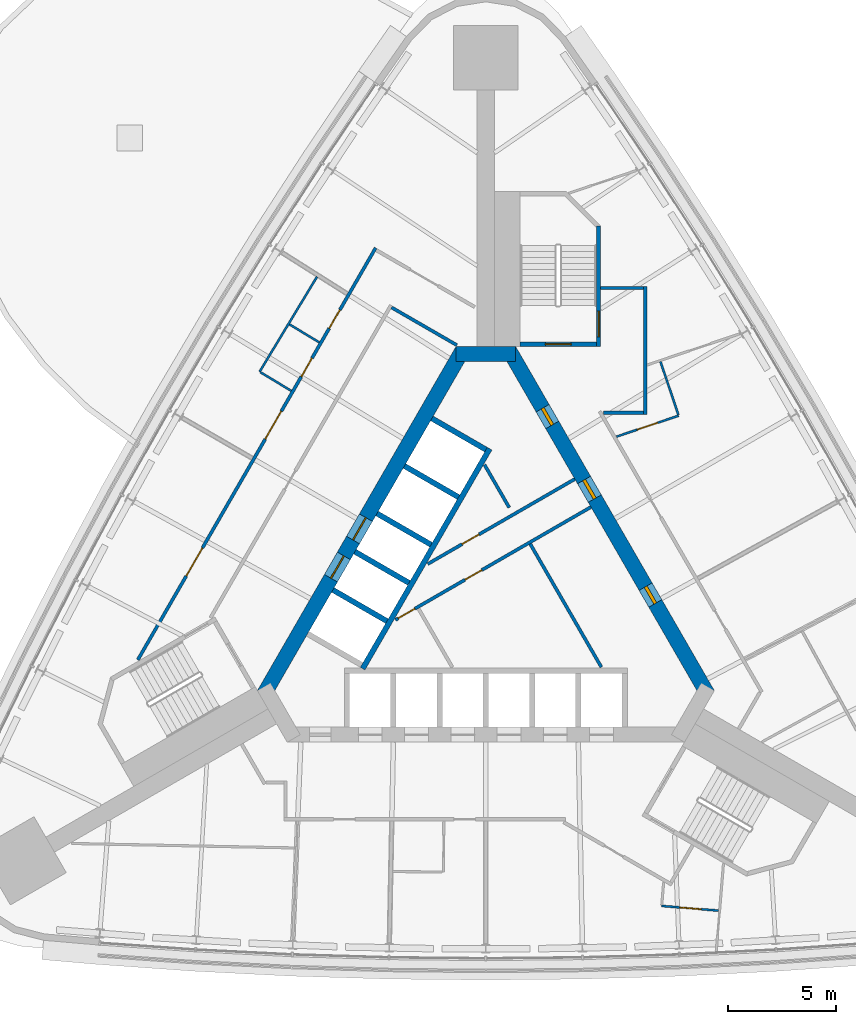
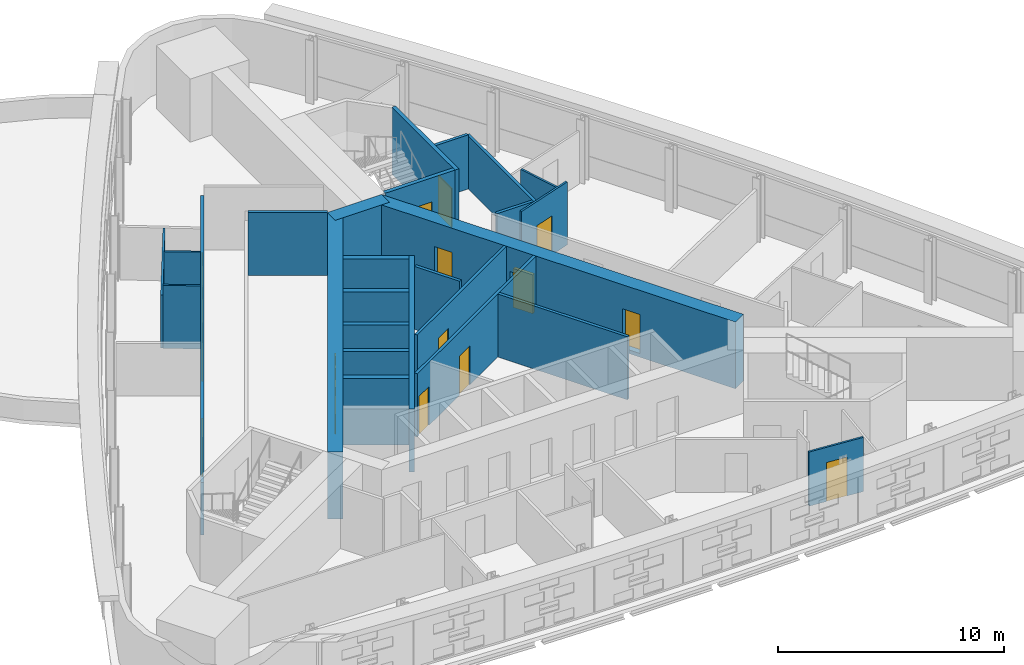
# One storey, part 8 of 12: 26 walls, 16 doors, 16 openings.
"""IFC4 building model written with IfcOpenShell, lengths in metres."""

from ifc_helpers import new_model, si_unit, direction, frame, frame_2d, origin, place, context, subcontext, project, spatial, rectangle, extrude, material, layer, layer_set, type_object, element, fill, save


model = new_model("IFC4")

# Units and contexts
model_context = context("Model", 3, precision=1e-05, world=origin(), true_north=direction((0.0, 1.0)))
body_context = subcontext(model_context, "Body", "Model", "MODEL_VIEW")
ifc_project = project(units=[si_unit("LENGTHUNIT", "METRE"), si_unit("AREAUNIT", "SQUARE_METRE"), si_unit("VOLUMEUNIT", "CUBIC_METRE"), si_unit("PLANEANGLEUNIT", "RADIAN"), si_unit("MASSUNIT", "GRAM", prefix="KILO")], contexts=[model_context])

# Site, building, storey
site_placement = place(None, origin())
site = spatial("IfcSite", under=ifc_project, at=site_placement, CompositionType="ELEMENT")
building_placement = place(site_placement, origin())
building = spatial("IfcBuilding", under=site, at=building_placement, Name="Noor Cloister Tower", CompositionType="ELEMENT")
storey_placement = place(building_placement, frame((0.0, 0.0, 105.89990234375)))
storey = spatial("IfcBuildingStorey", under=building, at=storey_placement, Name="L27", CompositionType="ELEMENT", Elevation=105.89990234375)

# Wall, openings, doors
ifc_material_1 = material(Name="Concrete C30/37", Category="concrete")
ifc_layer_1 = layer(ifc_material_1, 0.14990234375)
ifc_layer_set_1 = layer_set([ifc_layer_1], Name="Core partition 150 C30/37")
wall_type_1 = type_object("IfcWallType", Name="Core partition 150 C30/37", PredefinedType="PARTITIONING", material=ifc_layer_set_1)
wall_1_placement = place(storey_placement, frame((-4.19775390625, -1.244384765625, 0.0), z_axis=(0.0, 0.0, 1.0), x_axis=(0.866020798945, 0.500007975732, 0.0)))
wall_1 = element("IfcWall", 1, at=wall_1_placement, inside=storey, type_object=wall_type_1, Name="Core room partition L27 1", PredefinedType="PARTITIONING", context=body_context, shape_type="SweptSolid", body=[
    extrude(rectangle(XDim=10.485595703125, YDim=0.14990234375, at=frame_2d((5.24267578125, 0.0))), origin(), (0.0, 0.0, 1.0), 3.400146484375),
])
opening_1_placement = place(wall_1_placement, frame((3.735595703125, 0.0, 0.0)))
opening_1 = element("IfcOpeningElement", 2, at=opening_1_placement, cuts=wall_1, Name="Opening L27-904", PredefinedType="OPENING", context=body_context, shape_type="SweptSolid", body=[
    extrude(rectangle(XDim=0.89990234375, YDim=2.10009765625, at=frame_2d((0.449951171875, 1.050048828125))), frame((0.0, 0.0849609375, 0.0), z_axis=(0.0, -1.0, 0.0), x_axis=(1.0, 0.0, 0.0)), (0.0, 0.0, 1.0), 0.169921875),
])
opening_2_placement = place(wall_1_placement, frame((0.143798828125, 0.0, 0.0)))
opening_2 = element("IfcOpeningElement", 3, at=opening_2_placement, cuts=wall_1, Name="Opening L27-906", PredefinedType="OPENING", context=body_context, shape_type="SweptSolid", body=[
    extrude(rectangle(XDim=0.89990234375, YDim=2.10009765625, at=frame_2d((0.449951171875, 1.050048828125))), frame((0.0, 0.0849609375, 0.0), z_axis=(0.0, -1.0, 0.0), x_axis=(1.0, 0.0, 0.0)), (0.0, 0.0, 1.0), 0.169921875),
])
ifc_material_2 = material(Name="Steel", Category="steel")
door_type_1 = type_object("IfcDoorType", Name="Core door 900 x 2100 FD120", OperationType="SINGLE_SWING_LEFT", PredefinedType="DOOR", material=ifc_material_2)
door_1_placement = place(opening_2_placement, origin())
door_1 = element("IfcDoor", 4, at=door_1_placement, inside=storey, type_object=door_type_1, Name="Core door 6 L27", OperationType="SINGLE_SWING_RIGHT", OverallHeight=2.10009765625, OverallWidth=0.89990234375, PredefinedType="DOOR", context=body_context, shape_type="SweptSolid", body=[
    extrude(rectangle(XDim=0.89990234375, YDim=2.10009765625, at=frame_2d((0.449951171875, 1.050048828125))), frame((0.0, 0.02490234375, 0.0), z_axis=(0.0, -1.0, 0.0), x_axis=(1.0, 0.0, 0.0)), (0.0, 0.0, 1.0), 0.050048828125),
])
fill(opening_2, door_1)
ifc_material_3 = material(Name="Steel", Category="steel")
door_type_2 = type_object("IfcDoorType", Name="Core door 900 x 2100 FD60", OperationType="SINGLE_SWING_LEFT", PredefinedType="DOOR", material=ifc_material_3)
door_2_placement = place(opening_1_placement, origin())
door_2 = element("IfcDoor", 5, at=door_2_placement, inside=storey, type_object=door_type_2, Name="Core door 4 L27", OperationType="SINGLE_SWING_RIGHT", OverallHeight=2.10009765625, OverallWidth=0.89990234375, PredefinedType="DOOR", context=body_context, shape_type="SweptSolid", body=[
    extrude(rectangle(XDim=0.89990234375, YDim=2.10009765625, at=frame_2d((0.449951171875, 1.050048828125))), frame((0.0, 0.02490234375, 0.0), z_axis=(0.0, -1.0, 0.0), x_axis=(1.0, 0.0, 0.0)), (0.0, 0.0, 1.0), 0.050048828125),
])
fill(opening_1, door_2)

# Wall
wall_2_placement = place(storey_placement, frame((5.36669921875, -3.439208984375, 0.0), z_axis=(0.0, 0.0, 1.0), x_axis=(-0.499981499682, 0.866036084685, 0.0)))
element("IfcWall", 6, at=wall_2_placement, inside=storey, type_object=wall_type_1, Name="Core room partition L27 2", PredefinedType="PARTITIONING", context=body_context, shape_type="SweptSolid", body=[
    extrude(rectangle(XDim=6.608154296875, YDim=0.14990234375, at=frame_2d((3.30419921875, 0.0))), origin(), (0.0, 0.0, 1.0), 3.400146484375),
])

# Wall, opening, door
wall_3_placement = place(storey_placement, frame((-2.69775390625, 1.353759765625, 0.0), z_axis=(0.0, 0.0, 1.0), x_axis=(0.866021157486, 0.500007354732, 0.0)))
wall_3 = element("IfcWall", 7, at=wall_3_placement, inside=storey, type_object=wall_type_1, Name="Core room partition L27 4", PredefinedType="PARTITIONING", context=body_context, shape_type="SweptSolid", body=[
    extrude(rectangle(XDim=7.8876953125, YDim=0.14990234375, at=frame_2d((3.94384765625, 0.0))), origin(), (0.0, 0.0, 1.0), 3.400146484375),
])
opening_3_placement = place(wall_3_placement, frame((1.8447265625, 0.0, 0.0)))
opening_3 = element("IfcOpeningElement", 8, at=opening_3_placement, cuts=wall_3, Name="Opening L27-905", PredefinedType="OPENING", context=body_context, shape_type="SweptSolid", body=[
    extrude(rectangle(XDim=0.89990234375, YDim=2.10009765625, at=frame_2d((0.449951171875, 1.050048828125))), frame((0.0, 0.0849609375, 0.0), z_axis=(0.0, -1.0, 0.0), x_axis=(1.0, 0.0, 0.0)), (0.0, 0.0, 1.0), 0.169921875),
])
door_3_placement = place(opening_3_placement, origin())
door_3 = element("IfcDoor", 9, at=door_3_placement, inside=storey, type_object=door_type_1, Name="Core door 5 L27", OperationType="SINGLE_SWING_LEFT", OverallHeight=2.10009765625, OverallWidth=0.89990234375, PredefinedType="DOOR", context=body_context, shape_type="SweptSolid", body=[
    extrude(rectangle(XDim=0.89990234375, YDim=2.10009765625, at=frame_2d((0.449951171875, 1.050048828125))), frame((0.0, 0.02490234375, 0.0), z_axis=(0.0, -1.0, 0.0), x_axis=(1.0, 0.0, 0.0)), (0.0, 0.0, 1.0), 0.050048828125),
])
fill(opening_3, door_3)

# Wall
wall_4_placement = place(storey_placement, frame((1.087890625, 3.972412109375, 0.0), z_axis=(0.0, 0.0, 1.0), x_axis=(-0.500116913307, 0.865957893332, 0.0)))
element("IfcWall", 10, at=wall_4_placement, inside=storey, type_object=wall_type_1, Name="Core room partition L27 5", PredefinedType="PARTITIONING", context=body_context, shape_type="SweptSolid", body=[
    extrude(rectangle(XDim=2.3037109375, YDim=0.14990234375, at=frame_2d((1.15185546875, 0.0))), origin(), (0.0, 0.0, 1.0), 3.400146484375),
])

# Wall, openings, doors
ifc_material_4 = material(Name="Concrete C80/95", Category="concrete")
ifc_layer_2 = layer(ifc_material_4, 0.699951171875)
ifc_layer_set_2 = layer_set([ifc_layer_2], Name="Core wall 700 C80/95")
wall_type_2 = type_object("IfcWallType", Name="Core wall 700 C80/95", PredefinedType="SHEAR", material=ifc_layer_set_2)
wall_5_placement = place(storey_placement, frame((10.311279296875, -4.703125, -0.199951171875), z_axis=(0.0, 0.0, 1.0), x_axis=(-0.500001446645, 0.866024568562, 0.0)))
wall_5 = element("IfcWall", 11, at=wall_5_placement, inside=storey, type_object=wall_type_2, Name="Core wall L27 3", PredefinedType="SHEAR", context=body_context, shape_type="SweptSolid", body=[
    extrude(rectangle(XDim=18.45751953125, YDim=0.699951171875, at=frame_2d((9.228759765625, 0.0))), origin(), (0.0, 0.0, 1.0), 3.60009765625),
])
opening_4_placement = place(wall_5_placement, frame((10.5, 0.0, 0.199951171875)))
opening_4 = element("IfcOpeningElement", 12, at=opening_4_placement, cuts=wall_5, Name="Opening L27-901", PredefinedType="OPENING", context=body_context, shape_type="SweptSolid", body=[
    extrude(rectangle(XDim=1.0, YDim=2.10009765625, at=frame_2d((0.5, 1.050048828125))), frame((0.0, 0.35986328125, 0.0), z_axis=(0.0, -1.0, 0.0), x_axis=(1.0, 0.0, 0.0)), (0.0, 0.0, 1.0), 0.719970703125),
])
opening_5_placement = place(wall_5_placement, frame((4.876953125, 0.0, 0.199951171875)))
opening_5 = element("IfcOpeningElement", 13, at=opening_5_placement, cuts=wall_5, Name="Opening L27-902", PredefinedType="OPENING", context=body_context, shape_type="SweptSolid", body=[
    extrude(rectangle(XDim=0.89990234375, YDim=2.10009765625, at=frame_2d((0.449951171875, 1.050048828125))), frame((0.0, 0.35986328125, 0.0), z_axis=(0.0, -1.0, 0.0), x_axis=(1.0, 0.0, 0.0)), (0.0, 0.0, 1.0), 0.719970703125),
])
opening_6_placement = place(wall_5_placement, frame((14.45166015625, 0.0, 0.199951171875)))
opening_6 = element("IfcOpeningElement", 14, at=opening_6_placement, cuts=wall_5, Name="Opening L27-903", PredefinedType="OPENING", context=body_context, shape_type="SweptSolid", body=[
    extrude(rectangle(XDim=0.89990234375, YDim=2.10009765625, at=frame_2d((0.449951171875, 1.050048828125))), frame((0.0, 0.35986328125, 0.0), z_axis=(0.0, -1.0, 0.0), x_axis=(1.0, 0.0, 0.0)), (0.0, 0.0, 1.0), 0.719970703125),
])
ifc_material_5 = material(Name="Steel", Category="steel")
door_type_3 = type_object("IfcDoorType", Name="Core door 1000 x 2100 FD120", OperationType="SINGLE_SWING_LEFT", PredefinedType="DOOR", material=ifc_material_5)
door_4_placement = place(opening_4_placement, origin())
door_4 = element("IfcDoor", 15, at=door_4_placement, inside=storey, type_object=door_type_3, Name="Core door 1 L27", OperationType="SINGLE_SWING_LEFT", OverallHeight=2.10009765625, OverallWidth=1.0, PredefinedType="DOOR", context=body_context, shape_type="SweptSolid", body=[
    extrude(rectangle(XDim=1.0, YDim=2.10009765625, at=frame_2d((0.5, 1.050048828125))), frame((0.0, 0.074951171875, 0.0), z_axis=(0.0, -1.0, 0.0), x_axis=(1.0, 0.0, 0.0)), (0.0, 0.0, 1.0), 0.14990234375),
])
fill(opening_4, door_4)
door_5_placement = place(opening_5_placement, origin())
door_5 = element("IfcDoor", 16, at=door_5_placement, inside=storey, type_object=door_type_1, Name="Core door 2 L27", OperationType="SINGLE_SWING_RIGHT", OverallHeight=2.10009765625, OverallWidth=0.89990234375, PredefinedType="DOOR", context=body_context, shape_type="SweptSolid", body=[
    extrude(rectangle(XDim=0.89990234375, YDim=2.10009765625, at=frame_2d((0.449951171875, 1.050048828125))), frame((0.0, 0.074951171875, 0.0), z_axis=(0.0, -1.0, 0.0), x_axis=(1.0, 0.0, 0.0)), (0.0, 0.0, 1.0), 0.14990234375),
])
fill(opening_5, door_5)
door_6_placement = place(opening_6_placement, origin())
door_6 = element("IfcDoor", 17, at=door_6_placement, inside=storey, type_object=door_type_1, Name="Core door 3 L27", OperationType="SINGLE_SWING_LEFT", OverallHeight=2.10009765625, OverallWidth=0.89990234375, PredefinedType="DOOR", context=body_context, shape_type="SweptSolid", body=[
    extrude(rectangle(XDim=0.89990234375, YDim=2.10009765625, at=frame_2d((0.449951171875, 1.050048828125))), frame((0.0, 0.074951171875, 0.0), z_axis=(0.0, -1.0, 0.0), x_axis=(1.0, 0.0, 0.0)), (0.0, 0.0, 1.0), 0.14990234375),
])
fill(opening_6, door_6)

# Wall
wall_6_placement = place(storey_placement, frame((1.3857421875, 11.1064453125, -0.199951171875), z_axis=(0.0, 0.0, 1.0), x_axis=(-1.0, 0.0, 0.0)))
element("IfcWall", 18, at=wall_6_placement, inside=storey, type_object=wall_type_2, Name="Core wall L27 4", PredefinedType="SHEAR", context=body_context, shape_type="SweptSolid", body=[
    extrude(rectangle(XDim=2.771484375, YDim=0.699951171875, at=frame_2d((1.3857421875, 0.0))), origin(), (0.0, 0.0, 1.0), 3.60009765625),
])

# Wall, openings, doors
wall_7_placement = place(storey_placement, frame((-1.08251953125, 11.281494140625, -0.199951171875), z_axis=(0.0, 0.0, 1.0), x_axis=(-0.500001446645, -0.866024568562, 0.0)))
wall_7 = element("IfcWall", 19, at=wall_7_placement, inside=storey, type_object=wall_type_2, Name="Core wall L27 5", PredefinedType="SHEAR", context=body_context, shape_type="SweptSolid", body=[
    extrude(rectangle(XDim=18.45751953125, YDim=0.699951171875, at=frame_2d((9.228759765625, 0.0))), origin(), (0.0, 0.0, 1.0), 3.60009765625),
])
opening_7_placement = place(wall_7_placement, frame((8.978759765625, 0.0, 0.199951171875)))
opening_7 = element("IfcOpeningElement", 20, at=opening_7_placement, cuts=wall_7, Name="Opening L27-FF1", PredefinedType="OPENING", context=body_context, shape_type="SweptSolid", body=[
    extrude(rectangle(XDim=1.199951171875, YDim=2.10009765625, at=frame_2d((0.60009765625, 1.050048828125))), frame((0.0, 0.35986328125, 0.0), z_axis=(0.0, -1.0, 0.0), x_axis=(1.0, 0.0, 0.0)), (0.0, 0.0, 1.0), 0.719970703125),
])
opening_8_placement = place(wall_7_placement, frame((11.02880859375, 0.0, 0.199951171875)))
opening_8 = element("IfcOpeningElement", 21, at=opening_8_placement, cuts=wall_7, Name="Opening L27-FF2", PredefinedType="OPENING", context=body_context, shape_type="SweptSolid", body=[
    extrude(rectangle(XDim=1.199951171875, YDim=2.10009765625, at=frame_2d((0.60009765625, 1.050048828125))), frame((0.0, 0.35986328125, 0.0), z_axis=(0.0, -1.0, 0.0), x_axis=(1.0, 0.0, 0.0)), (0.0, 0.0, 1.0), 0.719970703125),
])
ifc_material_6 = material(Name="Stainless steel", Category="steel")
door_type_4 = type_object("IfcDoorType", Name="Lift landing door 1200 x 2100", OperationType="DOUBLE_DOOR_SLIDING", PredefinedType="DOOR", material=ifc_material_6)
door_7_placement = place(opening_7_placement, origin())
door_7 = element("IfcDoor", 22, at=door_7_placement, inside=storey, type_object=door_type_4, Name="Landing door FF1 L27", OperationType="DOUBLE_DOOR_SLIDING", OverallHeight=2.10009765625, OverallWidth=1.199951171875, PredefinedType="DOOR", context=body_context, shape_type="SweptSolid", body=[
    extrude(rectangle(XDim=1.199951171875, YDim=2.10009765625, at=frame_2d((0.60009765625, 1.050048828125))), frame((0.0, 0.02490234375, 0.0), z_axis=(0.0, -1.0, 0.0), x_axis=(1.0, 0.0, 0.0)), (0.0, 0.0, 1.0), 0.050048828125),
])
fill(opening_7, door_7)
door_8_placement = place(opening_8_placement, origin())
door_8 = element("IfcDoor", 23, at=door_8_placement, inside=storey, type_object=door_type_4, Name="Landing door FF2 L27", OperationType="DOUBLE_DOOR_SLIDING", OverallHeight=2.10009765625, OverallWidth=1.199951171875, PredefinedType="DOOR", context=body_context, shape_type="SweptSolid", body=[
    extrude(rectangle(XDim=1.199951171875, YDim=2.10009765625, at=frame_2d((0.60009765625, 1.050048828125))), frame((0.0, 0.02490234375, 0.0), z_axis=(0.0, -1.0, 0.0), x_axis=(1.0, 0.0, 0.0)), (0.0, 0.0, 1.0), 0.050048828125),
])
fill(opening_8, door_8)

# Wall
ifc_material_7 = material(Name="Fire-rated gypsum board partition on steel studs, 150 mm", Category="steel")
ifc_layer_3 = layer(ifc_material_7, 0.14990234375)
ifc_layer_set_3 = layer_set([ifc_layer_3], Name="Fire lobby wall 150")
wall_type_3 = type_object("IfcWallType", Name="Fire lobby wall 150", PredefinedType="PARTITIONING", material=ifc_layer_set_3)
wall_8_placement = place(storey_placement, frame((-4.379150390625, 13.271484375, 0.0), z_axis=(0.0, 0.0, 1.0), x_axis=(0.866019471182, -0.500010275428, 0.0)))
element("IfcWall", 24, at=wall_8_placement, inside=storey, type_object=wall_type_3, Name="Fire lobby wall 150 L27 008", PredefinedType="PARTITIONING", context=body_context, shape_type="SweptSolid", body=[
    extrude(rectangle(XDim=3.5, YDim=0.14990234375, at=frame_2d((1.75, 0.0))), origin(), (0.0, 0.0, 1.0), 3.400146484375),
])

# Wall, openings, doors
ifc_material_8 = material(Name="Gypsum board partition on steel studs, 150 mm", Category="steel")
ifc_layer_4 = layer(ifc_material_8, 0.14990234375)
ifc_layer_set_4 = layer_set([ifc_layer_4], Name="Flat wall 150")
wall_type_4 = type_object("IfcWallType", Name="Flat wall 150", PredefinedType="PARTITIONING", material=ifc_layer_set_4)
wall_9_placement = place(storey_placement, frame((-16.1689453125, -3.09912109375, 0.0), z_axis=(0.0, 0.0, 1.0), x_axis=(0.499999805269, 0.866025516212, 0.0)))
wall_9 = element("IfcWall", 25, at=wall_9_placement, inside=storey, type_object=wall_type_4, Name="Flat wall 150 L27 001", PredefinedType="PARTITIONING", context=body_context, shape_type="SweptSolid", body=[
    extrude(rectangle(XDim=22.09716796875, YDim=0.14990234375, at=frame_2d((11.048583984375, 0.0))), origin(), (0.0, 0.0, 1.0), 2.84716796875),
])
opening_9_placement = place(wall_9_placement, frame((17.77587890625, 0.0, 0.0)))
opening_9 = element("IfcOpeningElement", 26, at=opening_9_placement, cuts=wall_9, Name="Opening L27-001", PredefinedType="OPENING", context=body_context, shape_type="SweptSolid", body=[
    extrude(rectangle(XDim=1.0, YDim=2.10009765625, at=frame_2d((0.5, 1.050048828125))), frame((0.0, 0.0849609375, 0.0), z_axis=(0.0, -1.0, 0.0), x_axis=(1.0, 0.0, 0.0)), (0.0, 0.0, 1.0), 0.169921875),
])
opening_10_placement = place(wall_9_placement, frame((15.186279296875, 0.0, 0.0)))
opening_10 = element("IfcOpeningElement", 27, at=opening_10_placement, cuts=wall_9, Name="Opening L27-002", PredefinedType="OPENING", context=body_context, shape_type="SweptSolid", body=[
    extrude(rectangle(XDim=1.0, YDim=2.10009765625, at=frame_2d((0.5, 1.050048828125))), frame((0.0, 0.0849609375, 0.0), z_axis=(0.0, -1.0, 0.0), x_axis=(1.0, 0.0, 0.0)), (0.0, 0.0, 1.0), 0.169921875),
])
opening_11_placement = place(wall_9_placement, frame((11.83984375, 0.0, 0.0)))
opening_11 = element("IfcOpeningElement", 28, at=opening_11_placement, cuts=wall_9, Name="Opening L27-003", PredefinedType="OPENING", context=body_context, shape_type="SweptSolid", body=[
    extrude(rectangle(XDim=1.5, YDim=2.10009765625, at=frame_2d((0.75, 1.050048828125))), frame((0.0, 0.0849609375, 0.0), z_axis=(0.0, -1.0, 0.0), x_axis=(1.0, 0.0, 0.0)), (0.0, 0.0, 1.0), 0.169921875),
])
opening_12_placement = place(wall_9_placement, frame((4.50341796875, 0.0, 0.0)))
opening_12 = element("IfcOpeningElement", 29, at=opening_12_placement, cuts=wall_9, Name="Opening L27-004", PredefinedType="OPENING", context=body_context, shape_type="SweptSolid", body=[
    extrude(rectangle(XDim=1.5, YDim=2.10009765625, at=frame_2d((0.75, 1.050048828125))), frame((0.0, 0.0849609375, 0.0), z_axis=(0.0, -1.0, 0.0), x_axis=(1.0, 0.0, 0.0)), (0.0, 0.0, 1.0), 0.169921875),
])
ifc_material_9 = material(Name="Timber door leaf with steel frame", Category="steel")
door_type_5 = type_object("IfcDoorType", Name="Accessible WC door 1000", OperationType="NOTDEFINED", PredefinedType="DOOR", material=ifc_material_9)
door_9_placement = place(opening_9_placement, origin())
door_9 = element("IfcDoor", 30, at=door_9_placement, inside=storey, type_object=door_type_5, Name="Accessible WC door 1000 L27-001", OperationType="SINGLE_SWING_RIGHT", OverallHeight=2.10009765625, OverallWidth=1.0, PredefinedType="DOOR", context=body_context, shape_type="SweptSolid", body=[
    extrude(rectangle(XDim=1.0, YDim=2.10009765625, at=frame_2d((0.5, 1.050048828125))), frame((0.0, 0.02490234375, 0.0), z_axis=(0.0, -1.0, 0.0), x_axis=(1.0, 0.0, 0.0)), (0.0, 0.0, 1.0), 0.050048828125),
])
fill(opening_9, door_9)
ifc_material_10 = material(Name="Timber door leaf with steel frame", Category="steel")
door_type_6 = type_object("IfcDoorType", Name="Double door 1500 FD60", OperationType="NOTDEFINED", PredefinedType="DOOR", material=ifc_material_10)
door_10_placement = place(opening_11_placement, origin())
door_10 = element("IfcDoor", 31, at=door_10_placement, inside=storey, type_object=door_type_6, Name="Double door 1500 L27-003", OperationType="DOUBLE_DOOR_SINGLE_SWING", OverallHeight=2.10009765625, OverallWidth=1.5, PredefinedType="DOOR", context=body_context, shape_type="SweptSolid", body=[
    extrude(rectangle(XDim=1.5, YDim=2.10009765625, at=frame_2d((0.75, 1.050048828125))), frame((0.0, 0.02490234375, 0.0), z_axis=(0.0, -1.0, 0.0), x_axis=(1.0, 0.0, 0.0)), (0.0, 0.0, 1.0), 0.050048828125),
])
fill(opening_11, door_10)
door_11_placement = place(opening_12_placement, origin())
door_11 = element("IfcDoor", 32, at=door_11_placement, inside=storey, type_object=door_type_6, Name="Double door 1500 L27-004", OperationType="DOUBLE_DOOR_SINGLE_SWING", OverallHeight=2.10009765625, OverallWidth=1.5, PredefinedType="DOOR", context=body_context, shape_type="SweptSolid", body=[
    extrude(rectangle(XDim=1.5, YDim=2.10009765625, at=frame_2d((0.75, 1.050048828125))), frame((0.0, 0.02490234375, 0.0), z_axis=(0.0, -1.0, 0.0), x_axis=(1.0, 0.0, 0.0)), (0.0, 0.0, 1.0), 0.050048828125),
])
fill(opening_12, door_11)
ifc_material_11 = material(Name="Timber door leaf with steel frame", Category="steel")
door_type_7 = type_object("IfcDoorType", Name="Interior door 1000 FD60", OperationType="NOTDEFINED", PredefinedType="DOOR", material=ifc_material_11)
door_12_placement = place(opening_10_placement, origin())
door_12 = element("IfcDoor", 33, at=door_12_placement, inside=storey, type_object=door_type_7, Name="Interior door 1000 L27-002", OperationType="SINGLE_SWING_RIGHT", OverallHeight=2.10009765625, OverallWidth=1.0, PredefinedType="DOOR", context=body_context, shape_type="SweptSolid", body=[
    extrude(rectangle(XDim=1.0, YDim=2.10009765625, at=frame_2d((0.5, 1.050048828125))), frame((0.0, 0.02490234375, 0.0), z_axis=(0.0, -1.0, 0.0), x_axis=(1.0, 0.0, 0.0)), (0.0, 0.0, 1.0), 0.050048828125),
])
fill(opening_10, door_12)

# Walls
wall_10_placement = place(storey_placement, frame((7.41064453125, 8.306396484375, 0.0), z_axis=(0.0, 0.0, 1.0), x_axis=(0.0, 1.0, 0.0)))
element("IfcWall", 34, at=wall_10_placement, inside=storey, type_object=wall_type_4, Name="Flat wall 150 L27 006", PredefinedType="PARTITIONING", context=body_context, shape_type="SweptSolid", body=[
    extrude(rectangle(XDim=5.949951171875, YDim=0.14990234375, at=frame_2d((2.97509765625, 0.0))), origin(), (0.0, 0.0, 1.0), 2.84716796875),
])
wall_11_placement = place(storey_placement, frame((5.335693359375, 14.181396484375, 0.0), z_axis=(0.0, 0.0, 1.0), x_axis=(1.0, 0.0, 0.0)))
element("IfcWall", 35, at=wall_11_placement, inside=storey, type_object=wall_type_4, Name="Flat wall 150 L27 009", PredefinedType="PARTITIONING", context=body_context, shape_type="SweptSolid", body=[
    extrude(rectangle(XDim=2.0, YDim=0.14990234375, at=frame_2d((1.0, 0.0))), origin(), (0.0, 0.0, 1.0), 2.923095703125),
])
wall_12_placement = place(storey_placement, frame((5.4560546875, 8.38134765625, 0.0), z_axis=(0.0, 0.0, 1.0), x_axis=(1.0, 0.0, 0.0)))
element("IfcWall", 36, at=wall_12_placement, inside=storey, type_object=wall_type_4, Name="Flat wall 150 L27 013", PredefinedType="PARTITIONING", context=body_context, shape_type="SweptSolid", body=[
    extrude(rectangle(XDim=1.879638671875, YDim=0.14990234375, at=frame_2d((0.93994140625, 0.0))), origin(), (0.0, 0.0, 1.0), 2.84716796875),
])
ifc_material_12 = material(Name="Gypsum board partition on steel studs, 100 mm", Category="steel")
ifc_layer_5 = layer(ifc_material_12, 0.10009765625)
ifc_layer_set_5 = layer_set([ifc_layer_5], Name="Partition 100")
wall_type_5 = type_object("IfcWallType", Name="Partition 100", PredefinedType="PARTITIONING", material=ifc_layer_set_5)
wall_13_placement = place(storey_placement, frame((-7.842041015625, 14.70166015625, 0.0), z_axis=(0.0, 0.0, 1.0), x_axis=(-0.517269453202, -0.855822594224, 0.0)))
element("IfcWall", 37, at=wall_13_placement, inside=storey, type_object=wall_type_5, Name="Partition 100 L27 025", PredefinedType="PARTITIONING", context=body_context, shape_type="SweptSolid", body=[
    extrude(rectangle(XDim=5.15966796875, YDim=0.10009765625, at=frame_2d((2.579833984375, 0.0))), origin(), (0.0, 0.0, 1.0), 2.84716796875),
])

# Wall, opening, door
wall_14_placement = place(storey_placement, frame((6.06689453125, 7.267822265625, 0.0), z_axis=(0.0, 0.0, 1.0), x_axis=(0.94756585242, 0.319560565978, 0.0)))
wall_14 = element("IfcWall", 38, at=wall_14_placement, inside=storey, type_object=wall_type_5, Name="Partition 100 L27 030", PredefinedType="PARTITIONING", context=body_context, shape_type="SweptSolid", body=[
    extrude(rectangle(XDim=3.052978515625, YDim=0.10009765625, at=frame_2d((1.5263671875, 0.0))), origin(), (0.0, 0.0, 1.0), 3.400146484375),
])
opening_13_placement = place(wall_14_placement, frame((1.021484375, 0.0, 0.0)))
opening_13 = element("IfcOpeningElement", 39, at=opening_13_placement, cuts=wall_14, Name="Opening L27-020", PredefinedType="OPENING", context=body_context, shape_type="SweptSolid", body=[
    extrude(rectangle(XDim=1.0, YDim=2.10009765625, at=frame_2d((0.5, 1.050048828125))), frame((0.0, 0.06005859375, 0.0), z_axis=(0.0, -1.0, 0.0), x_axis=(1.0, 0.0, 0.0)), (0.0, 0.0, 1.0), 0.1201171875),
])
ifc_material_13 = material(Name="Timber door leaf with steel frame", Category="steel")
door_type_8 = type_object("IfcDoorType", Name="Interior door 1000", OperationType="NOTDEFINED", PredefinedType="DOOR", material=ifc_material_13)
door_13_placement = place(opening_13_placement, origin())
door_13 = element("IfcDoor", 40, at=door_13_placement, inside=storey, type_object=door_type_8, Name="Interior door 1000 L27-020", OperationType="SINGLE_SWING_LEFT", OverallHeight=2.10009765625, OverallWidth=1.0, PredefinedType="DOOR", context=body_context, shape_type="SweptSolid", body=[
    extrude(rectangle(XDim=1.0, YDim=2.10009765625, at=frame_2d((0.5, 1.050048828125))), frame((0.0, 0.02490234375, 0.0), z_axis=(0.0, -1.0, 0.0), x_axis=(1.0, 0.0, 0.0)), (0.0, 0.0, 1.0), 0.050048828125),
])
fill(opening_13, door_13)

wall_15_placement = place(storey_placement, frame((8.16845703125, -14.534423828125, 0.0), z_axis=(0.0, 0.0, 1.0), x_axis=(0.996625350035, -0.082084783406, 0.0)))
wall_15 = element("IfcWall", 41, at=wall_15_placement, inside=storey, type_object=wall_type_5, Name="Partition 100 L27 031", PredefinedType="PARTITIONING", context=body_context, shape_type="SweptSolid", body=[
    extrude(rectangle(XDim=2.650146484375, YDim=0.10009765625, at=frame_2d((1.3251953125, 0.0))), origin(), (0.0, 0.0, 1.0), 2.923095703125),
])
opening_14_placement = place(wall_15_placement, frame((0.85009765625, 0.0, 0.0)))
opening_14 = element("IfcOpeningElement", 42, at=opening_14_placement, cuts=wall_15, Name="Opening L27-021", PredefinedType="OPENING", context=body_context, shape_type="SweptSolid", body=[
    extrude(rectangle(XDim=1.0, YDim=2.10009765625, at=frame_2d((0.5, 1.050048828125))), frame((0.0, 0.06005859375, 0.0), z_axis=(0.0, -1.0, 0.0), x_axis=(1.0, 0.0, 0.0)), (0.0, 0.0, 1.0), 0.1201171875),
])
door_14_placement = place(opening_14_placement, origin())
door_14 = element("IfcDoor", 43, at=door_14_placement, inside=storey, type_object=door_type_8, Name="Interior door 1000 L27-021", OperationType="SINGLE_SWING_RIGHT", OverallHeight=2.10009765625, OverallWidth=1.0, PredefinedType="DOOR", context=body_context, shape_type="SweptSolid", body=[
    extrude(rectangle(XDim=1.0, YDim=2.10009765625, at=frame_2d((0.5, 1.050048828125))), frame((0.0, 0.02490234375, 0.0), z_axis=(0.0, -1.0, 0.0), x_axis=(1.0, 0.0, 0.0)), (0.0, 0.0, 1.0), 0.050048828125),
])
fill(opening_14, door_14)

# Walls
wall_16_placement = place(storey_placement, frame((8.113037109375, 10.75439453125, 0.0), z_axis=(0.0, 0.0, 1.0), x_axis=(0.31954997077, -0.94756942552, 0.0)))
element("IfcWall", 44, at=wall_16_placement, inside=storey, type_object=wall_type_5, Name="Partition 100 L27 032", PredefinedType="PARTITIONING", context=body_context, shape_type="SweptSolid", body=[
    extrude(rectangle(XDim=2.599853515625, YDim=0.10009765625, at=frame_2d((1.2998046875, 0.0))), origin(), (0.0, 0.0, 1.0), 2.84716796875),
])
wall_17_placement = place(storey_placement, frame((-10.46826171875, 10.260009765625, 0.0), z_axis=(0.0, 0.0, 1.0), x_axis=(0.855795319679, -0.517314576264, 0.0)))
element("IfcWall", 45, at=wall_17_placement, inside=storey, type_object=wall_type_5, Name="Partition 100 L27 035", PredefinedType="PARTITIONING", context=body_context, shape_type="SweptSolid", body=[
    extrude(rectangle(XDim=1.6669921875, YDim=0.10009765625, at=frame_2d((0.83349609375, 0.0))), origin(), (0.0, 0.0, 1.0), 3.400146484375),
])
wall_18_placement = place(storey_placement, frame((-9.123291015625, 12.485107421875, 0.0), z_axis=(0.0, 0.0, 1.0), x_axis=(0.855820717892, -0.517272557581, 0.0)))
element("IfcWall", 46, at=wall_18_placement, inside=storey, type_object=wall_type_5, Name="Partition 100 L27 036", PredefinedType="PARTITIONING", context=body_context, shape_type="SweptSolid", body=[
    extrude(rectangle(XDim=1.61474609375, YDim=0.10009765625, at=frame_2d((0.807373046875, 0.0))), origin(), (0.0, 0.0, 1.0), 3.400146484375),
])
ifc_material_14 = material(Name="Concrete C80/95", Category="concrete")
ifc_layer_6 = layer(ifc_material_14, 0.25)
ifc_layer_set_6 = layer_set([ifc_layer_6], Name="Shaft wall 250 C80/95")
wall_type_6 = type_object("IfcWallType", Name="Shaft wall 250 C80/95", PredefinedType="PARTITIONING", material=ifc_layer_set_6)
wall_19_placement = place(storey_placement, frame((-2.50634765625, 8.115478515625, -0.199951171875), z_axis=(0.0, 0.0, 1.0), x_axis=(0.865996321171, -0.50005036918, 0.0)))
element("IfcWall", 47, at=wall_19_placement, inside=storey, type_object=wall_type_6, Name="Lift shaft wall L27 NW 1", PredefinedType="PARTITIONING", context=body_context, shape_type="SweptSolid", body=[
    extrude(rectangle(XDim=2.900146484375, YDim=0.25, at=frame_2d((1.4501953125, 0.0))), origin(), (0.0, 0.0, 1.0), 3.60009765625),
])
for number, where, z_axis, x_axis, name in (
    (48, (-3.78125, 5.906982421875, -0.199951171875), (0.0, 0.0, 1.0), (0.866032775405, -0.499987231761, 0.0), "Lift shaft wall L27 NW 2"),
    (49, (-5.056396484375, 3.69873046875, -0.199951171875), (0.0, 0.0, 1.0), (0.866032775405, -0.499987231761, 0.0), "Lift shaft wall L27 NW 3"),
    (50, (-6.081298828125, 1.92333984375, -0.199951171875), (0.0, 0.0, 1.0), (0.866032775405, -0.499987231761, 0.0), "Lift shaft wall L27 NW 4"),
    (51, (-7.106201171875, 0.14794921875, -0.199951171875), (0.0, 0.0, 1.0), (0.866032775405, -0.499987231761, 0.0), "Lift shaft wall L27 NW 5"),
):
    element("IfcWall", number, at=place(storey_placement, frame(where, z_axis=z_axis, x_axis=x_axis)), inside=storey, type_object=wall_type_6, Name=name, PredefinedType="PARTITIONING", context=body_context, shape_type="SweptSolid", body=[
        extrude(rectangle(XDim=2.89990234375, YDim=0.25, at=frame_2d((1.449951171875, 0.0))), origin(), (0.0, 0.0, 1.0), 3.60009765625),
    ])
wall_20_placement = place(storey_placement, frame((0.176025390625, 6.711181640625, 0.0), z_axis=(0.0, 0.0, 1.0), x_axis=(-0.500004227369, -0.866022963098, 0.0)))
element("IfcWall", 52, at=wall_20_placement, inside=storey, type_object=wall_type_6, Name="Lift shaft back wall L27 NW", PredefinedType="PARTITIONING", context=body_context, shape_type="SweptSolid", body=[
    extrude(rectangle(XDim=11.80029296875, YDim=0.25, at=frame_2d((5.900146484375, 0.0))), origin(), (0.0, 0.0, 1.0), 3.400146484375),
])

# Wall, opening, door
ifc_material_15 = material(Name="Concrete C80/95", Category="concrete")
ifc_layer_7 = layer(ifc_material_15, 0.199951171875)
ifc_layer_set_7 = layer_set([ifc_layer_7], Name="Stair enclosure wall 200 C80/95")
wall_type_7 = type_object("IfcWallType", Name="Stair enclosure wall 200 C80/95", PredefinedType="SHEAR", material=ifc_layer_set_7)
wall_21_placement = place(storey_placement, frame((5.135498046875, 11.556396484375, -0.199951171875), z_axis=(0.0, 0.0, 1.0), x_axis=(-1.0, 0.0, 0.0)))
wall_21 = element("IfcWall", 53, at=wall_21_placement, inside=storey, type_object=wall_type_7, Name="Stair enclosure wall ST1 L27 near end", PredefinedType="SHEAR", context=body_context, shape_type="SweptSolid", body=[
    extrude(rectangle(XDim=3.5498046875, YDim=0.199951171875, at=frame_2d((1.77490234375, 0.0))), origin(), (0.0, 0.0, 1.0), 3.60009765625),
])
opening_15_placement = place(wall_21_placement, frame((1.175048828125, 0.0, 0.199951171875)))
opening_15 = element("IfcOpeningElement", 54, at=opening_15_placement, cuts=wall_21, Name="Opening L27-ST1L", PredefinedType="OPENING", context=body_context, shape_type="SweptSolid", body=[
    extrude(rectangle(XDim=1.199951171875, YDim=2.10009765625, at=frame_2d((0.60009765625, 1.050048828125))), frame((0.0, 0.10986328125, 0.0), z_axis=(0.0, -1.0, 0.0), x_axis=(1.0, 0.0, 0.0)), (0.0, 0.0, 1.0), 0.219970703125),
])
ifc_material_16 = material(Name="Steel", Category="steel")
door_type_9 = type_object("IfcDoorType", Name="Stair door 1200 x 2100 FD120", OperationType="SINGLE_SWING_LEFT", PredefinedType="DOOR", material=ifc_material_16)
door_15_placement = place(opening_15_placement, origin())
door_15 = element("IfcDoor", 55, at=door_15_placement, inside=storey, type_object=door_type_9, Name="Stair door ST1 L27", OperationType="SINGLE_SWING_RIGHT", OverallHeight=2.10009765625, OverallWidth=1.199951171875, PredefinedType="DOOR", context=body_context, shape_type="SweptSolid", body=[
    extrude(rectangle(XDim=1.199951171875, YDim=2.10009765625, at=frame_2d((0.60009765625, 1.050048828125))), frame((0.0, 0.02490234375, 0.0), z_axis=(0.0, -1.0, 0.0), x_axis=(1.0, 0.0, 0.0)), (0.0, 0.0, 1.0), 0.050048828125),
])
fill(opening_15, door_15)

wall_22_placement = place(storey_placement, frame((5.235595703125, 11.456298828125, -0.199951171875), z_axis=(0.0, 0.0, 1.0), x_axis=(0.0, 1.0, 0.0)))
wall_22 = element("IfcWall", 56, at=wall_22_placement, inside=storey, type_object=wall_type_7, Name="Stair enclosure wall ST1 L27 outer side", PredefinedType="SHEAR", context=body_context, shape_type="SweptSolid", body=[
    extrude(rectangle(XDim=5.60009765625, YDim=0.199951171875, at=frame_2d((2.800048828125, 0.0))), origin(), (0.0, 0.0, 1.0), 3.60009765625),
])
opening_16_placement = place(wall_22_placement, frame((0.449951171875, 0.0, 0.199951171875)))
opening_16 = element("IfcOpeningElement", 57, at=opening_16_placement, cuts=wall_22, Name="Opening L27-ST1C", PredefinedType="OPENING", context=body_context, shape_type="SweptSolid", body=[
    extrude(rectangle(XDim=1.199951171875, YDim=2.10009765625, at=frame_2d((0.60009765625, 1.050048828125))), frame((0.0, 0.10986328125, 0.0), z_axis=(0.0, -1.0, 0.0), x_axis=(1.0, 0.0, 0.0)), (0.0, 0.0, 1.0), 0.219970703125),
])
door_16_placement = place(opening_16_placement, origin())
door_16 = element("IfcDoor", 58, at=door_16_placement, inside=storey, type_object=door_type_9, Name="Stair door ST1 L27", OperationType="SINGLE_SWING_LEFT", OverallHeight=2.10009765625, OverallWidth=1.199951171875, PredefinedType="DOOR", context=body_context, shape_type="SweptSolid", body=[
    extrude(rectangle(XDim=1.199951171875, YDim=2.10009765625, at=frame_2d((0.60009765625, 1.050048828125))), frame((0.0, 0.02490234375, 0.0), z_axis=(0.0, -1.0, 0.0), x_axis=(1.0, 0.0, 0.0)), (0.0, 0.0, 1.0), 0.050048828125),
])
fill(opening_16, door_16)

save(model, "model.ifc")
